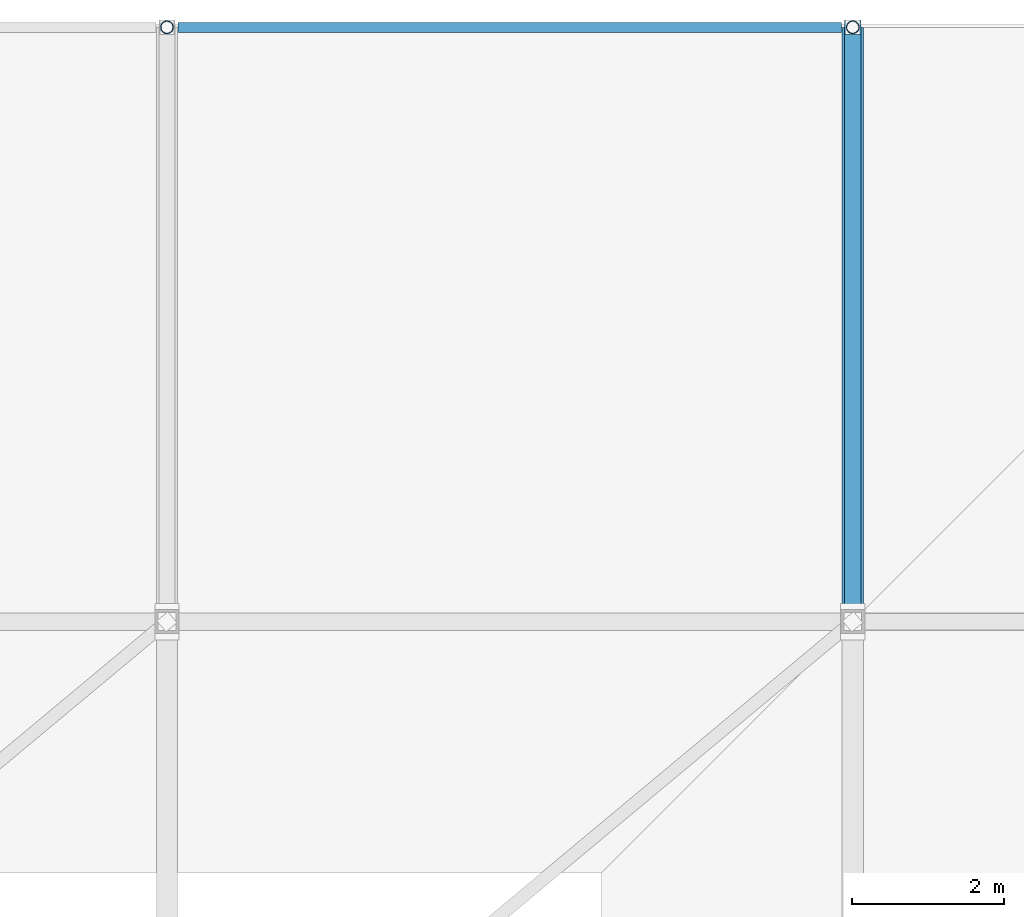
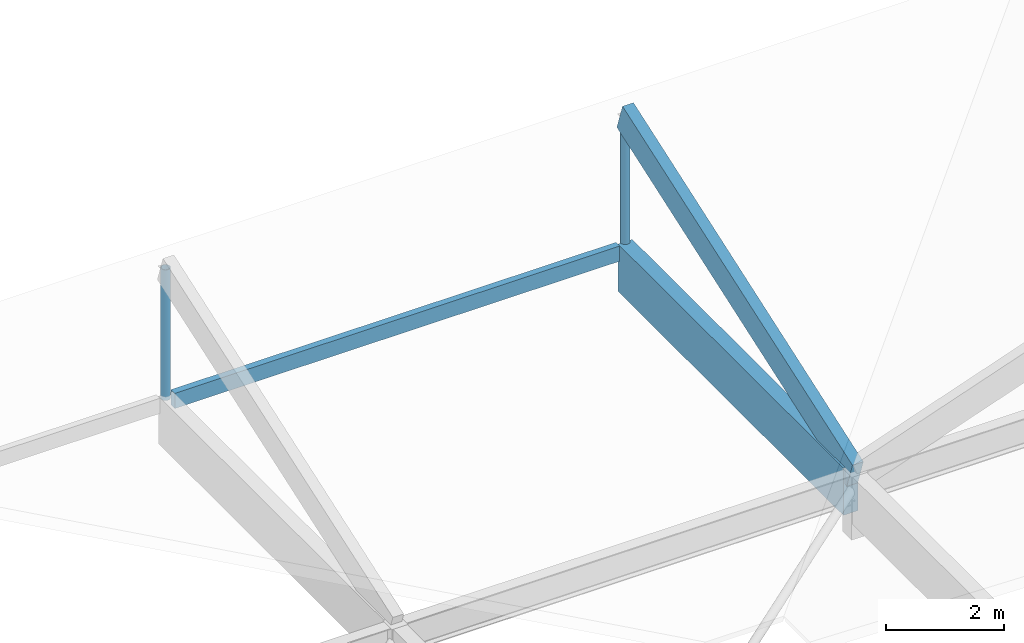
# One storey, part 15 of 19: 3 members, 2 beams.
"""IFC4 building model written with IfcOpenShell, lengths in metres."""

import ifcopenshell
import ifcopenshell.guid

model = None  # the IFC model being written
_history = None  # IfcOwnerHistory: only IFC2X3 demands one
_inside = {}  # id of a spatial element -> (the spatial element, [elements in it])
_under = {}  # id of a project, library or spatial element -> (it, [spatial elements below it])
_declared = {}  # id of a project -> (the project, [libraries it declares])
_typed = {}  # id of a type object -> (the type object, [elements of that type])
_made_of = {}  # id of a material, layer set ... -> (it, [elements and type objects made of it])


def new_model(schema):
    """Start an empty IFC model of exactly this schema.

    Asked for "IFC4X3", IfcOpenShell would pick the latest addendum, in which some entities
    have other attributes; the version numbers below select the first issue.
    IFC2X3 requires an IfcOwnerHistory on every rooted entity: one is made here for all.
    """
    global model, _history
    if schema == "IFC4X3":
        model = ifcopenshell.file(schema_version=(4, 3, 0, 0))
    else:
        model = ifcopenshell.file(schema=schema)
    _inside.clear()
    _under.clear()
    _declared.clear()
    _typed.clear()
    _made_of.clear()
    _history = None
    if model.schema == "IFC2X3":
        org = make("IfcOrganization", Name="unknown")
        user = make(
            "IfcPersonAndOrganization",
            ThePerson=make("IfcPerson", FamilyName="unknown"),
            TheOrganization=org,
        )
        app = make(
            "IfcApplication",
            ApplicationDeveloper=org,
            Version="unknown",
            ApplicationFullName="unknown",
            ApplicationIdentifier="unknown",
        )
        _history = make(
            "IfcOwnerHistory",
            OwningUser=user,
            OwningApplication=app,
            ChangeAction="ADDED",
            CreationDate=0,
        )
    return model


def make(cls, **values):
    """One entity of the class cls with the attributes given. An attribute that is None is left unset."""
    return model.create_entity(
        cls, **{name: value for name, value in values.items() if value is not None}
    )


def rooted(cls, **values):
    """An entity with a GlobalId (a new one), such as an element, a storey or a relation."""
    return make(cls, GlobalId=ifcopenshell.guid.new(), OwnerHistory=_history, **values)


def si_unit(unit_type, name, prefix=None):
    """IfcSIUnit, for example si_unit("LENGTHUNIT", "METRE", prefix="MILLI")."""
    return make("IfcSIUnit", UnitType=unit_type, Prefix=prefix, Name=name)


def assignment(units):
    """IfcUnitAssignment: the units of a project."""
    return None if units is None else make("IfcUnitAssignment", Units=units)


def point(xyz):
    """IfcCartesianPoint."""
    return None if xyz is None else make("IfcCartesianPoint", Coordinates=xyz)


def direction(xyz):
    """IfcDirection."""
    return None if xyz is None else make("IfcDirection", DirectionRatios=xyz)


def frame(location, z_axis=None, x_axis=None):
    """IfcAxis2Placement3D, a coordinate frame: its origin and axes. An axis left out is left unset."""
    return make(
        "IfcAxis2Placement3D",
        Location=point(location),
        Axis=direction(z_axis),
        RefDirection=direction(x_axis),
    )


def frame_2d(location, x_axis=None):
    """IfcAxis2Placement2D, a coordinate frame in the plane: its origin and x axis."""
    return make(
        "IfcAxis2Placement2D", Location=point(location), RefDirection=direction(x_axis)
    )


def origin():
    """The frame at (0, 0, 0) with its axes left unset."""
    return frame((0.0, 0.0, 0.0))


def origin_2d():
    """The frame at (0, 0) in the plane with its x axis left unset."""
    return frame_2d((0.0, 0.0))


def place(relative_to, where):
    """IfcLocalPlacement: puts the frame where relative to a parent placement (None: the world)."""
    return make(
        "IfcLocalPlacement", PlacementRelTo=relative_to, RelativePlacement=where
    )


def context(
    kind, dimensions, precision=None, world=None, true_north=None, identifier=None
):
    """IfcGeometricRepresentationContext, for example the 3D "Model" context."""
    return make(
        "IfcGeometricRepresentationContext",
        ContextIdentifier=identifier,
        ContextType=kind,
        CoordinateSpaceDimension=dimensions,
        Precision=precision,
        WorldCoordinateSystem=world,
        TrueNorth=true_north,
    )


def subcontext(parent, identifier, kind, view, scale=None):
    """IfcGeometricRepresentationSubContext, for example "Body" below "Model"."""
    return make(
        "IfcGeometricRepresentationSubContext",
        ContextIdentifier=identifier,
        ContextType=kind,
        ParentContext=parent,
        TargetScale=scale,
        TargetView=view,
    )


def project(units=None, contexts=None):
    """IfcProject with its units and contexts."""
    return rooted(
        "IfcProject",
        Name="project",
        RepresentationContexts=contexts,
        UnitsInContext=assignment(units),
    )


def spatial(cls, under=None, at=None, **own):
    """A site, building, storey or space (cls), placed at a placement, below another one or the project."""
    s = rooted(cls, ObjectPlacement=at, **own)
    if under is not None:
        _under.setdefault(under.id(), (under, []))[1].append(s)
    return s


def profile(cls, at=None, kind="AREA", **sizes):
    """A parametric profile (cls). Its sizes go by their IFC names, for example OverallWidth=200.0."""
    return make(cls, ProfileType=kind, Position=at, **sizes)


def rectangle(**sizes):
    """IfcRectangleProfileDef."""
    return profile("IfcRectangleProfileDef", **sizes)


def hollow_circle(**sizes):
    """IfcCircleHollowProfileDef."""
    return profile("IfcCircleHollowProfileDef", **sizes)


def extrude(swept, where, along, depth):
    """IfcExtrudedAreaSolid: the profile swept, set in the frame where, extruded along a direction by depth."""
    return make(
        "IfcExtrudedAreaSolid",
        SweptArea=swept,
        Position=where,
        ExtrudedDirection=direction(along),
        Depth=depth,
    )


def shape(context_of_items, identifier, shape_type, items):
    """IfcShapeRepresentation: the items that make up one representation, for example the "Body"."""
    return make(
        "IfcShapeRepresentation",
        ContextOfItems=context_of_items,
        RepresentationIdentifier=identifier,
        RepresentationType=shape_type,
        Items=items,
    )


def material(Name=None, Category=None):
    """IfcMaterial."""
    return make("IfcMaterial", Name=Name, Category=Category)


def material_profile(
    of_material, cross_section, Name=None, Category=None, Priority=None
):
    """IfcMaterialProfile: a cross section and its material."""
    return make(
        "IfcMaterialProfile",
        Name=Name,
        Material=of_material,
        Profile=cross_section,
        Priority=Priority,
        Category=Category,
    )


def profile_set(profiles, Name=None, composite=None):
    """IfcMaterialProfileSet."""
    return make(
        "IfcMaterialProfileSet",
        Name=Name,
        MaterialProfiles=profiles,
        CompositeProfile=composite,
    )


def made_of(thing, what):
    """Note that an element or type object is made of a material, layer set ...; save() writes the relation."""
    if what is not None:
        _made_of.setdefault(what.id(), (what, []))[1].append(thing)
    return thing


def type_object(cls, material=None, **own):
    """A type object (cls), such as IfcWallType, which elements share."""
    return made_of(rooted(cls, **own), material)


def element(
    cls,
    number,
    at=None,
    inside=None,
    cuts=None,
    type_object=None,
    material=None,
    context=None,
    identifier="Body",
    shape_type=None,
    held_by="IfcProductDefinitionShape",
    body=None,
    shapes=None,
    **own,
):
    """One element of the class cls, such as IfcWall. Its Tag is "e" and its number.

    at: its placement. inside: the storey or other place that contains it. cuts: it is an
    opening in that element (IfcRelVoidsElement). A single representation is given by context,
    identifier, shape_type and body (its items); several are given by shapes. held_by: the class
    of the entity that holds the representations. save() writes the other relations.
    """
    e = rooted(cls, Tag="e%d" % number, ObjectPlacement=at, **own)
    if body is not None:
        shapes = [shape(context, identifier, shape_type, body)]
    if shapes is not None:
        e.Representation = make(held_by, Representations=shapes)
    if inside is not None:
        _inside.setdefault(inside.id(), (inside, []))[1].append(e)
    if cuts is not None:
        rooted(
            "IfcRelVoidsElement", RelatingBuildingElement=cuts, RelatedOpeningElement=e
        )
    if type_object is not None:
        _typed.setdefault(type_object.id(), (type_object, []))[1].append(e)
    return made_of(e, material)


def aggregate(whole, parts):
    """IfcRelAggregates: a whole, such as a stair, and the parts it consists of."""
    return rooted("IfcRelAggregates", RelatingObject=whole, RelatedObjects=parts)


def save(model, path):
    """Write the relations noted so far, then the file.

    IfcRelAggregates (storeys below a building ...), IfcRelContainedInSpatialStructure (elements
    in a storey), IfcRelDefinesByType, IfcRelAssociatesMaterial and IfcRelDeclares: one each for
    every whole, place, type object, material and project.
    """
    for whole, parts in _under.values():
        aggregate(whole, parts)
    for where, things in _inside.values():
        rooted(
            "IfcRelContainedInSpatialStructure",
            RelatedElements=things,
            RelatingStructure=where,
        )
    for kind, things in _typed.values():
        rooted("IfcRelDefinesByType", RelatedObjects=things, RelatingType=kind)
    for what, things in _made_of.values():
        rooted("IfcRelAssociatesMaterial", RelatedObjects=things, RelatingMaterial=what)
    for by, libraries in _declared.values():
        rooted("IfcRelDeclares", RelatingContext=by, RelatedDefinitions=libraries)
    model.write(path)


model = new_model("IFC4")

# Units and contexts
model_context = context("Model", 3, precision=1e-05, world=origin(), true_north=direction((0.0, 1.0)))
body_context = subcontext(model_context, "Body", "Model", "MODEL_VIEW")
ifc_project = project(units=[si_unit("LENGTHUNIT", "METRE"), si_unit("AREAUNIT", "SQUARE_METRE"), si_unit("VOLUMEUNIT", "CUBIC_METRE"), si_unit("PLANEANGLEUNIT", "RADIAN"), si_unit("MASSUNIT", "GRAM", prefix="KILO")], contexts=[model_context])

# Site, building, storey
site_placement = place(None, origin())
site = spatial("IfcSite", under=ifc_project, at=site_placement, CompositionType="ELEMENT")
building_placement = place(site_placement, origin())
building = spatial("IfcBuilding", under=site, at=building_placement, Name="Marnridge Secondary College", CompositionType="ELEMENT")
storey_placement = place(building_placement, frame((0.0, 0.0, 23.699951171875)))
storey = spatial("IfcBuildingStorey", under=building, at=storey_placement, Name="Roof Level", CompositionType="ELEMENT", Elevation=23.699951171875)

# Beams
ifc_material_1 = material(Name="Glulam timber GL18", Category="wood")
ifc_material_profile_1 = material_profile(ifc_material_1, rectangle(XDim=0.1298828125, YDim=0.31494140625, at=origin_2d()), Name="GL18 130x315")
ifc_profile_set_1 = profile_set([ifc_material_profile_1], Name="Glulam timber GL18")
beam_type_1 = type_object("IfcBeamType", Name="BM-GL315-EXT", PredefinedType="BEAM", material=ifc_profile_set_1)
beam_1_placement = place(storey_placement, frame((81.14501953125, 75.300048828125, 1.142578125), z_axis=(1.0, 0.0, 0.0), x_axis=(0.0, 1.0, 0.0)))
element("IfcBeam", 1, at=beam_1_placement, inside=storey, type_object=beam_type_1, Name="Beam BCAN-Roo-1512", PredefinedType="BEAM", context=body_context, shape_type="SweptSolid", body=[
    extrude(rectangle(XDim=0.1298828125, YDim=0.31494140625, at=origin_2d()), origin(), (0.0, 0.0, 1.0), 8.7099609375),
])
ifc_material_2 = material(Name="Glulam timber GL18", Category="wood")
ifc_material_profile_2 = material_profile(ifc_material_2, rectangle(XDim=0.280029296875, YDim=0.97998046875, at=origin_2d()), Name="GL18 280x980")
ifc_profile_set_2 = profile_set([ifc_material_profile_2], Name="Glulam timber GL18")
beam_type_2 = type_object("IfcBeamType", Name="BM-GL980-EXT", PredefinedType="BEAM", material=ifc_profile_set_2)
beam_2_placement = place(storey_placement, frame((90.0, 67.651611328125, 0.81005859375), z_axis=(0.0, 1.0, 0.0), x_axis=(-1.0, 0.0, 0.0)))
element("IfcBeam", 2, at=beam_2_placement, inside=storey, type_object=beam_type_2, Name="Beam BCAN-Roo-1500", PredefinedType="BEAM", context=body_context, shape_type="SweptSolid", body=[
    extrude(rectangle(XDim=0.280029296875, YDim=0.97998046875, at=origin_2d()), origin(), (0.0, 0.0, 1.0), 7.6484375),
])

# Members
ifc_material_3 = material(Name="Cold-formed steel Grade C350L0 (AS/NZS 1163, fy = 350 MPa)", Category="steel")
ifc_material_profile_3 = material_profile(ifc_material_3, hollow_circle(Radius=0.084228515625, WallThickness=0.00634765625, at=origin_2d()), Name="168.3x6.4CHS")
ifc_profile_set_3 = profile_set([ifc_material_profile_3], Name="Cold-formed steel Grade C350L0 (AS/NZS 1163, fy = 350 MPa)")
member_type_1 = type_object("IfcMemberType", Name="MB-BR-CHS168E", PredefinedType="BRACE", material=ifc_profile_set_3)
for number, where, z_axis, x_axis, name in (
    (3, (81.0, 75.300048828125, 1.219970703125), (0.0, 0.0, 1.0), (1.0, 0.0, 0.0), "Canopy eave web strut MCAN-008"),
    (4, (90.0, 75.300048828125, 1.219970703125), (0.0, 0.0, 1.0), (1.0, 0.0, 0.0), "Canopy eave web strut MCAN-010"),
):
    element("IfcMember", number, at=place(storey_placement, frame(where, z_axis=z_axis, x_axis=x_axis)), inside=storey, type_object=member_type_1, Name=name, PredefinedType="BRACE", context=body_context, shape_type="SweptSolid", body=[
        extrude(hollow_circle(Radius=0.084228515625, WallThickness=0.00634765625, at=origin_2d()), origin(), (0.0, 0.0, 1.0), 2.705078125),
    ])
ifc_material_4 = material(Name="Glulam timber GL18", Category="wood")
ifc_material_profile_4 = material_profile(ifc_material_4, rectangle(XDim=0.215087890625, YDim=0.5849609375, at=origin_2d()), Name="GL18 215x585")
ifc_profile_set_4 = profile_set([ifc_material_profile_4], Name="Glulam timber GL18")
member_type_2 = type_object("IfcMemberType", Name="MB-GS-GL585", PredefinedType="CHORD", material=ifc_profile_set_4)
member_placement = place(storey_placement, frame((90.0, 67.5, 1.219970703125), z_axis=(0.0, 0.944796411745, 0.327657962444), x_axis=(-1.0, 0.0, 0.0)))
element("IfcMember", 5, at=member_placement, inside=storey, type_object=member_type_2, Name="Canopy overhang truss chord MCR-010", PredefinedType="CHORD", context=body_context, shape_type="SweptSolid", body=[
    extrude(rectangle(XDim=0.215087890625, YDim=0.5849609375, at=origin_2d()), origin(), (0.0, 0.0, 1.0), 8.255859375),
])

save(model, "model.ifc")
